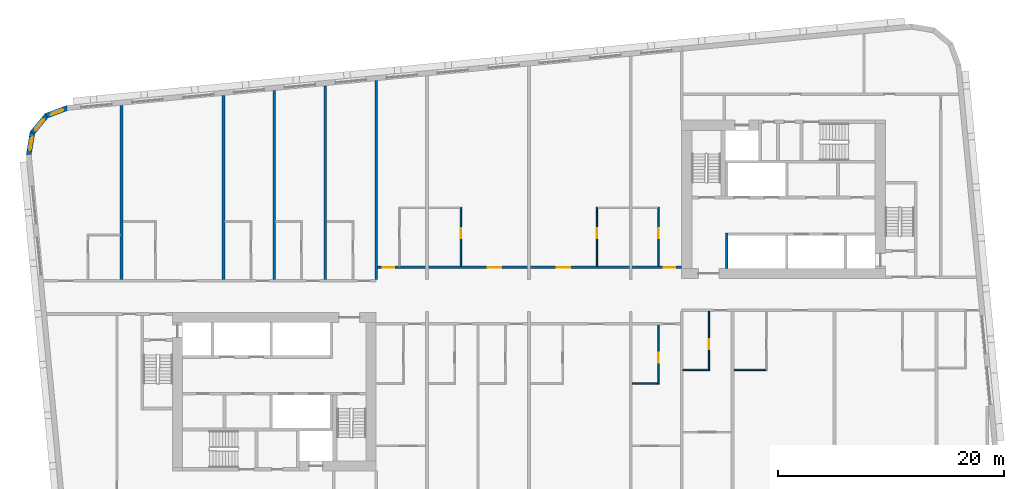
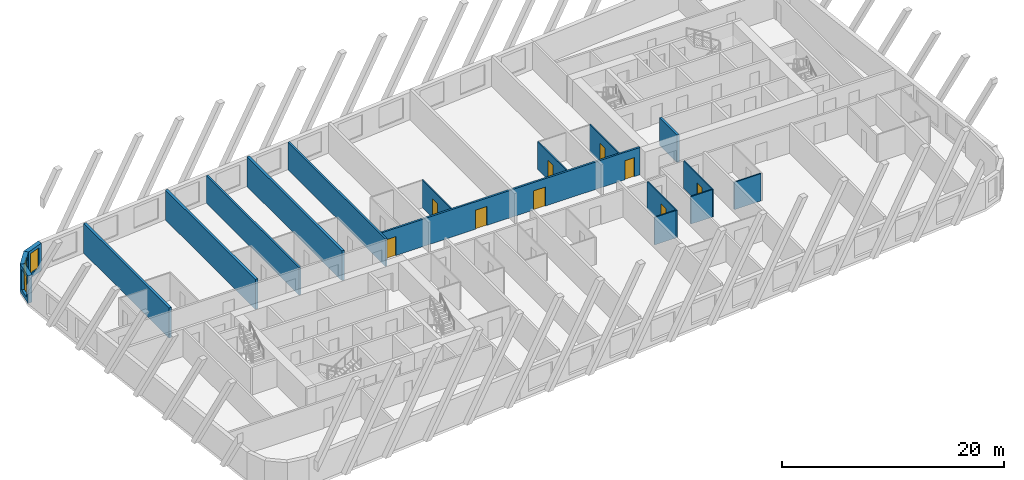
# One storey, part 5 of 13: 18 walls, 9 doors, 3 windows, 12 openings.
"""IFC4 building model written with IfcOpenShell, lengths in metres."""

from ifc_helpers import new_model, si_unit, direction, frame, frame_2d, origin, place, context, subcontext, project, spatial, polyline, rectangle, outline, extrude, material, layer, layer_set, type_object, element, fill, save


model = new_model("IFC4")

# Units and contexts
model_context = context("Model", 3, precision=1e-05, world=origin(), true_north=direction((0.0, 1.0)))
body_context = subcontext(model_context, "Body", "Model", "MODEL_VIEW")
ifc_project = project(units=[si_unit("LENGTHUNIT", "METRE"), si_unit("AREAUNIT", "SQUARE_METRE"), si_unit("VOLUMEUNIT", "CUBIC_METRE"), si_unit("PLANEANGLEUNIT", "RADIAN"), si_unit("MASSUNIT", "GRAM", prefix="KILO")], contexts=[model_context])

# Site, building, storey
site_placement = place(None, origin())
site = spatial("IfcSite", under=ifc_project, at=site_placement, CompositionType="ELEMENT")
building_placement = place(site_placement, origin())
building = spatial("IfcBuilding", under=site, at=building_placement, Name="Kajstack Hotel Tower", CompositionType="ELEMENT")
storey_placement = place(building_placement, frame((0.0, 0.0, 176.800048828125)))
storey = spatial("IfcBuildingStorey", under=building, at=storey_placement, Name="L41", CompositionType="ELEMENT", Elevation=176.800048828125)

# Wall, openings, doors
ifc_material_1 = material(Name="Gypsum board on steel studs, mineral wool", Category="steel")
ifc_layer_1 = layer(ifc_material_1, 0.199951171875)
ifc_layer_set_1 = layer_set([ifc_layer_1], Name="Corridor wall 200")
wall_type_1 = type_object("IfcWallType", Name="Corridor wall 200", PredefinedType="PARTITIONING", material=ifc_layer_set_1)
wall_1_placement = place(storey_placement, frame((-13.5, 2.5, 0.0), z_axis=(0.0, 0.0, 1.0), x_axis=(1.0, 0.0, 0.0)))
wall_1 = element("IfcWall", 1, at=wall_1_placement, inside=storey, type_object=wall_type_1, Name="G-wall-L41-004", PredefinedType="PARTITIONING", context=body_context, shape_type="SweptSolid", body=[
    extrude(rectangle(XDim=27.0, YDim=0.199951171875, at=frame_2d((13.5, 0.0))), origin(), (0.0, 0.0, 1.0), 3.02001953125),
])
opening_1_placement = place(wall_1_placement, frame((0.574951171875, 0.0, 0.0)))
opening_1 = element("IfcOpeningElement", 2, at=opening_1_placement, cuts=wall_1, Name="Opening 41011", PredefinedType="OPENING", context=body_context, shape_type="SweptSolid", body=[
    extrude(rectangle(XDim=1.0, YDim=2.10009765625, at=frame_2d((0.5, 1.050048828125))), frame((0.0, 0.10986328125, 0.0), z_axis=(0.0, -1.0, 0.0), x_axis=(1.0, 0.0, 0.0)), (0.0, 0.0, 1.0), 0.219970703125),
])
opening_2_placement = place(wall_1_placement, frame((9.863037109375, 0.0, 0.0)))
opening_2 = element("IfcOpeningElement", 3, at=opening_2_placement, cuts=wall_1, Name="Opening 41013", PredefinedType="OPENING", context=body_context, shape_type="SweptSolid", body=[
    extrude(rectangle(XDim=1.199951171875, YDim=2.10009765625, at=frame_2d((0.60009765625, 1.050048828125))), frame((0.0, 0.10986328125, 0.0), z_axis=(0.0, -1.0, 0.0), x_axis=(1.0, 0.0, 0.0)), (0.0, 0.0, 1.0), 0.219970703125),
])
opening_3_placement = place(wall_1_placement, frame((15.93798828125, 0.0, 0.0)))
opening_3 = element("IfcOpeningElement", 4, at=opening_3_placement, cuts=wall_1, Name="Opening 41015", PredefinedType="OPENING", context=body_context, shape_type="SweptSolid", body=[
    extrude(rectangle(XDim=1.199951171875, YDim=2.10009765625, at=frame_2d((0.60009765625, 1.050048828125))), frame((0.0, 0.10986328125, 0.0), z_axis=(0.0, -1.0, 0.0), x_axis=(1.0, 0.0, 0.0)), (0.0, 0.0, 1.0), 0.219970703125),
])
opening_4_placement = place(wall_1_placement, frame((25.425048828125, 0.0, 0.0)))
opening_4 = element("IfcOpeningElement", 5, at=opening_4_placement, cuts=wall_1, Name="Opening 41017", PredefinedType="OPENING", context=body_context, shape_type="SweptSolid", body=[
    extrude(rectangle(XDim=1.0, YDim=2.10009765625, at=frame_2d((0.5, 1.050048828125))), frame((0.0, 0.10986328125, 0.0), z_axis=(0.0, -1.0, 0.0), x_axis=(1.0, 0.0, 0.0)), (0.0, 0.0, 1.0), 0.219970703125),
])
ifc_material_2 = material(Name="Oak veneer on timber core, fire-rated leaf", Category="wood")
door_type_1 = type_object("IfcDoorType", Name="Flat entrance door 1000", OperationType="SINGLE_SWING_LEFT", PredefinedType="DOOR", material=ifc_material_2)
door_1_placement = place(opening_1_placement, origin())
door_1 = element("IfcDoor", 6, at=door_1_placement, inside=storey, type_object=door_type_1, Name="G-door-L41-11", OperationType="SINGLE_SWING_RIGHT", OverallHeight=2.10009765625, OverallWidth=1.0, PredefinedType="DOOR", context=body_context, shape_type="SweptSolid", body=[
    extrude(rectangle(XDim=1.0, YDim=2.10009765625, at=frame_2d((0.5, 1.050048828125))), frame((0.0, 0.02490234375, 0.0), z_axis=(0.0, -1.0, 0.0), x_axis=(1.0, 0.0, 0.0)), (0.0, 0.0, 1.0), 0.050048828125),
])
fill(opening_1, door_1)
door_2_placement = place(opening_4_placement, origin())
door_2 = element("IfcDoor", 7, at=door_2_placement, inside=storey, type_object=door_type_1, Name="G-door-L41-17", OperationType="SINGLE_SWING_RIGHT", OverallHeight=2.10009765625, OverallWidth=1.0, PredefinedType="DOOR", context=body_context, shape_type="SweptSolid", body=[
    extrude(rectangle(XDim=1.0, YDim=2.10009765625, at=frame_2d((0.5, 1.050048828125))), frame((0.0, 0.02490234375, 0.0), z_axis=(0.0, -1.0, 0.0), x_axis=(1.0, 0.0, 0.0)), (0.0, 0.0, 1.0), 0.050048828125),
])
fill(opening_4, door_2)
door_type_2 = type_object("IfcDoorType", Name="Flat entrance door 1200", OperationType="SINGLE_SWING_LEFT", PredefinedType="DOOR", material=ifc_material_2)
door_3_placement = place(opening_2_placement, origin())
door_3 = element("IfcDoor", 8, at=door_3_placement, inside=storey, type_object=door_type_2, Name="G-door-L41-13", OperationType="SINGLE_SWING_LEFT", OverallHeight=2.10009765625, OverallWidth=1.199951171875, PredefinedType="DOOR", context=body_context, shape_type="SweptSolid", body=[
    extrude(rectangle(XDim=1.199951171875, YDim=2.10009765625, at=frame_2d((0.60009765625, 1.050048828125))), frame((0.0, 0.02490234375, 0.0), z_axis=(0.0, -1.0, 0.0), x_axis=(1.0, 0.0, 0.0)), (0.0, 0.0, 1.0), 0.050048828125),
])
fill(opening_2, door_3)
door_4_placement = place(opening_3_placement, origin())
door_4 = element("IfcDoor", 9, at=door_4_placement, inside=storey, type_object=door_type_2, Name="G-door-L41-15", OperationType="SINGLE_SWING_RIGHT", OverallHeight=2.10009765625, OverallWidth=1.199951171875, PredefinedType="DOOR", context=body_context, shape_type="SweptSolid", body=[
    extrude(rectangle(XDim=1.199951171875, YDim=2.10009765625, at=frame_2d((0.60009765625, 1.050048828125))), frame((0.0, 0.02490234375, 0.0), z_axis=(0.0, -1.0, 0.0), x_axis=(1.0, 0.0, 0.0)), (0.0, 0.0, 1.0), 0.050048828125),
])
fill(opening_3, door_4)

# Walls
ifc_material_3 = material(Name="Twin-frame gypsum board on steel studs, mineral wool", Category="steel")
ifc_layer_2 = layer(ifc_material_3, 0.199951171875)
ifc_layer_set_2 = layer_set([ifc_layer_2], Name="Demising wall 200")
wall_type_2 = type_object("IfcWallType", Name="Demising wall 200", PredefinedType="PARTITIONING", material=ifc_layer_set_2)
wall_2_placement = place(storey_placement, frame((-22.5, 1.39990234375, 0.0), z_axis=(0.0, 0.0, 1.0), x_axis=(0.0, 1.0, 0.0)))
element("IfcWall", 10, at=wall_2_placement, inside=storey, type_object=wall_type_2, Name="G-wall-L41-009", PredefinedType="PARTITIONING", context=body_context, shape_type="SweptSolid", body=[
    extrude(rectangle(XDim=16.72314453125, YDim=0.199951171875, at=frame_2d((8.361572265625, 0.0))), origin(), (0.0, 0.0, 1.0), 3.02001953125),
])
wall_3_placement = place(storey_placement, frame((-13.5, 1.39990234375, 0.0), z_axis=(0.0, 0.0, 1.0), x_axis=(0.0, 1.0, 0.0)))
element("IfcWall", 11, at=wall_3_placement, inside=storey, type_object=wall_type_2, Name="G-wall-L41-014", PredefinedType="PARTITIONING", context=body_context, shape_type="SweptSolid", body=[
    extrude(rectangle(XDim=17.590087890625, YDim=0.199951171875, at=frame_2d((8.794921875, 0.0))), origin(), (0.0, 0.0, 1.0), 3.02001953125),
])

# Wall, opening, window
ifc_material_4 = material(Name="Terracotta-faced brick masonry", Category="masonry")
ifc_layer_3 = layer(ifc_material_4, 0.449951171875)
ifc_layer_set_3 = layer_set([ifc_layer_3], Name="EW-TERRA")
wall_type_3 = type_object("IfcWallType", Name="EW-TERRA", PredefinedType="SOLIDWALL", material=ifc_layer_set_3)
wall_4_placement = place(storey_placement, frame((-40.76123046875, 16.598388671875, 0.0), z_axis=(0.0, 0.0, 1.0), x_axis=(-0.936677599948, -0.350192909346, 0.0)))
wall_4 = element("IfcWall", 12, at=wall_4_placement, inside=storey, type_object=wall_type_3, Name="E-wall-L41-13-00", PredefinedType="SOLIDWALL", context=body_context, shape_type="SweptSolid", body=[
    extrude(outline(polyline([(0.0, -0.22509765625), (2.070556640625, -0.224853515625), (1.949951171875, 0.22509765625), (0.12060546875, 0.22509765625), (0.0, -0.22509765625)])), origin(), (0.0, 0.0, 1.0), 3.02001953125),
])
opening_5_placement = place(wall_4_placement, frame((0.435302734375, 0.0, 0.449951171875)))
opening_5 = element("IfcOpeningElement", 13, at=opening_5_placement, cuts=wall_4, Name="Opening W3", PredefinedType="OPENING", context=body_context, shape_type="SweptSolid", body=[
    extrude(rectangle(XDim=1.199951171875, YDim=2.25, at=frame_2d((0.60009765625, 1.125))), frame((0.0, 0.23486328125, 0.0), z_axis=(0.0, -1.0, 0.0), x_axis=(1.0, 0.0, 0.0)), (0.0, 0.0, 1.0), 0.469970703125),
])
ifc_material_5 = material(Name="Timber-aluminium window, triple glazed", Category="wood")
window_type = type_object("IfcWindowType", Name="WG3", PartitioningType="SINGLE_PANEL", PredefinedType="WINDOW", material=ifc_material_5)
window_1_placement = place(opening_5_placement, origin())
window_1 = element("IfcWindow", 14, at=window_1_placement, inside=storey, type_object=window_type, Name="Window W3 L41-13", OverallHeight=2.25, OverallWidth=1.199951171875, PartitioningType="SINGLE_PANEL", PredefinedType="WINDOW", context=body_context, shape_type="SweptSolid", body=[
    extrude(rectangle(XDim=1.199951171875, YDim=2.25, at=frame_2d((0.60009765625, 1.125))), frame((0.0, 0.090087890625, 0.0), z_axis=(0.0, -1.0, 0.0), x_axis=(1.0, 0.0, 0.0)), (0.0, 0.0, 1.0), 0.06005859375),
])
fill(opening_5, window_1)

wall_5_placement = place(storey_placement, frame((-42.60595703125, 15.94091796875, 0.0), z_axis=(0.0, 0.0, 1.0), x_axis=(-0.636116318187, -0.771593176315, 0.0)))
wall_5 = element("IfcWall", 15, at=wall_5_placement, inside=storey, type_object=wall_type_3, Name="E-wall-L41-14-00", PredefinedType="SOLIDWALL", context=body_context, shape_type="SweptSolid", body=[
    extrude(outline(polyline([(0.0, -0.224853515625), (2.070556640625, -0.224853515625), (1.949951171875, 0.22509765625), (0.12060546875, 0.22509765625), (0.0, -0.224853515625)])), origin(), (0.0, 0.0, 1.0), 3.02001953125),
])
opening_6_placement = place(wall_5_placement, frame((0.435302734375, 0.0, 0.449951171875)))
opening_6 = element("IfcOpeningElement", 16, at=opening_6_placement, cuts=wall_5, Name="Opening W3", PredefinedType="OPENING", context=body_context, shape_type="SweptSolid", body=[
    extrude(rectangle(XDim=1.199951171875, YDim=2.25, at=frame_2d((0.60009765625, 1.125))), frame((0.0, 0.23486328125, 0.0), z_axis=(0.0, -1.0, 0.0), x_axis=(1.0, 0.0, 0.0)), (0.0, 0.0, 1.0), 0.469970703125),
])
window_2_placement = place(opening_6_placement, origin())
window_2 = element("IfcWindow", 17, at=window_2_placement, inside=storey, type_object=window_type, Name="Window W3 L41-14", OverallHeight=2.25, OverallWidth=1.199951171875, PartitioningType="SINGLE_PANEL", PredefinedType="WINDOW", context=body_context, shape_type="SweptSolid", body=[
    extrude(rectangle(XDim=1.199951171875, YDim=2.25, at=frame_2d((0.60009765625, 1.125))), frame((0.0, 0.090087890625, 0.0), z_axis=(0.0, -1.0, 0.0), x_axis=(1.0, 0.0, 0.0)), (0.0, 0.0, 1.0), 0.06005859375),
])
fill(opening_6, window_2)

wall_6_placement = place(storey_placement, frame((-43.874755859375, 14.44921875, 0.0), z_axis=(0.0, 0.0, 1.0), x_axis=(-0.164953448126, -0.986301353518, 0.0)))
wall_6 = element("IfcWall", 18, at=wall_6_placement, inside=storey, type_object=wall_type_3, Name="E-wall-L41-15-00", PredefinedType="SOLIDWALL", context=body_context, shape_type="SweptSolid", body=[
    extrude(outline(polyline([(0.0, -0.224853515625), (2.070556640625, -0.22509765625), (1.9501953125, 0.224853515625), (0.12060546875, 0.22509765625), (0.0, -0.224853515625)])), origin(), (0.0, 0.0, 1.0), 3.02001953125),
])
opening_7_placement = place(wall_6_placement, frame((0.435302734375, 0.0, 0.449951171875)))
opening_7 = element("IfcOpeningElement", 19, at=opening_7_placement, cuts=wall_6, Name="Opening W3", PredefinedType="OPENING", context=body_context, shape_type="SweptSolid", body=[
    extrude(rectangle(XDim=1.199951171875, YDim=2.25, at=frame_2d((0.60009765625, 1.125))), frame((0.0, 0.23486328125, 0.0), z_axis=(0.0, -1.0, 0.0), x_axis=(1.0, 0.0, 0.0)), (0.0, 0.0, 1.0), 0.469970703125),
])
window_3_placement = place(opening_7_placement, origin())
window_3 = element("IfcWindow", 20, at=window_3_placement, inside=storey, type_object=window_type, Name="Window W3 L41-15", OverallHeight=2.25, OverallWidth=1.199951171875, PartitioningType="SINGLE_PANEL", PredefinedType="WINDOW", context=body_context, shape_type="SweptSolid", body=[
    extrude(rectangle(XDim=1.199951171875, YDim=2.25, at=frame_2d((0.60009765625, 1.125))), frame((0.0, 0.090087890625, 0.0), z_axis=(0.0, -1.0, 0.0), x_axis=(1.0, 0.0, 0.0)), (0.0, 0.0, 1.0), 0.06005859375),
])
fill(opening_7, window_3)

# Wall, opening, door
ifc_material_6 = material(Name="Gypsum board and tiled backer on steel studs", Category="steel")
ifc_layer_4 = layer(ifc_material_6, 0.125)
ifc_layer_set_4 = layer_set([ifc_layer_4], Name="En-suite wall 125")
wall_type_4 = type_object("IfcWallType", Name="En-suite wall 125", PredefinedType="PARTITIONING", material=ifc_layer_set_4)
wall_7_placement = place(storey_placement, frame((-6.012939453125, 2.60009765625, 0.0), z_axis=(0.0, 0.0, 1.0), x_axis=(0.0, 1.0, 0.0)))
wall_7 = element("IfcWall", 21, at=wall_7_placement, inside=storey, type_object=wall_type_4, Name="G-wall-L41-019", PredefinedType="PARTITIONING", context=body_context, shape_type="SweptSolid", body=[
    extrude(rectangle(XDim=5.224853515625, YDim=0.125, at=frame_2d((2.6123046875, 0.0))), origin(), (0.0, 0.0, 1.0), 3.02001953125),
])
opening_8_placement = place(wall_7_placement, frame((2.449951171875, 0.0, 0.0)))
opening_8 = element("IfcOpeningElement", 22, at=opening_8_placement, cuts=wall_7, Name="Opening 41014", PredefinedType="OPENING", context=body_context, shape_type="SweptSolid", body=[
    extrude(rectangle(XDim=0.89990234375, YDim=2.10009765625, at=frame_2d((0.449951171875, 1.050048828125))), frame((0.0, 0.072509765625, 0.0), z_axis=(0.0, -1.0, 0.0), x_axis=(1.0, 0.0, 0.0)), (0.0, 0.0, 1.0), 0.14501953125),
])
ifc_material_7 = material(Name="Painted timber door leaf", Category="wood")
door_type_3 = type_object("IfcDoorType", Name="Room door 900", OperationType="SINGLE_SWING_LEFT", PredefinedType="DOOR", material=ifc_material_7)
door_5_placement = place(opening_8_placement, origin())
door_5 = element("IfcDoor", 23, at=door_5_placement, inside=storey, type_object=door_type_3, Name="G-door-L41-14", OperationType="SINGLE_SWING_LEFT", OverallHeight=2.10009765625, OverallWidth=0.89990234375, PredefinedType="DOOR", context=body_context, shape_type="SweptSolid", body=[
    extrude(rectangle(XDim=0.89990234375, YDim=2.10009765625, at=frame_2d((0.449951171875, 1.050048828125))), frame((0.0, 0.02490234375, 0.0), z_axis=(0.0, -1.0, 0.0), x_axis=(1.0, 0.0, 0.0)), (0.0, 0.0, 1.0), 0.050048828125),
])
fill(opening_8, door_5)

wall_8_placement = place(storey_placement, frame((6.012939453125, 2.60009765625, 0.0), z_axis=(0.0, 0.0, 1.0), x_axis=(0.0, 1.0, 0.0)))
wall_8 = element("IfcWall", 24, at=wall_8_placement, inside=storey, type_object=wall_type_4, Name="G-wall-L41-021", PredefinedType="PARTITIONING", context=body_context, shape_type="SweptSolid", body=[
    extrude(rectangle(XDim=5.224853515625, YDim=0.125, at=frame_2d((2.6123046875, 0.0))), origin(), (0.0, 0.0, 1.0), 3.02001953125),
])
opening_9_placement = place(wall_8_placement, frame((2.449951171875, 0.0, 0.0)))
opening_9 = element("IfcOpeningElement", 25, at=opening_9_placement, cuts=wall_8, Name="Opening 41016", PredefinedType="OPENING", context=body_context, shape_type="SweptSolid", body=[
    extrude(rectangle(XDim=0.89990234375, YDim=2.10009765625, at=frame_2d((0.449951171875, 1.050048828125))), frame((0.0, 0.072509765625, 0.0), z_axis=(0.0, -1.0, 0.0), x_axis=(1.0, 0.0, 0.0)), (0.0, 0.0, 1.0), 0.14501953125),
])
door_6_placement = place(opening_9_placement, origin())
door_6 = element("IfcDoor", 26, at=door_6_placement, inside=storey, type_object=door_type_3, Name="G-door-L41-16", OperationType="SINGLE_SWING_RIGHT", OverallHeight=2.10009765625, OverallWidth=0.89990234375, PredefinedType="DOOR", context=body_context, shape_type="SweptSolid", body=[
    extrude(rectangle(XDim=0.89990234375, YDim=2.10009765625, at=frame_2d((0.449951171875, 1.050048828125))), frame((0.0, 0.02490234375, 0.0), z_axis=(0.0, -1.0, 0.0), x_axis=(1.0, 0.0, 0.0)), (0.0, 0.0, 1.0), 0.050048828125),
])
fill(opening_9, door_6)

wall_9_placement = place(storey_placement, frame((11.43798828125, 2.60009765625, 0.0), z_axis=(0.0, 0.0, 1.0), x_axis=(0.0, 1.0, 0.0)))
wall_9 = element("IfcWall", 27, at=wall_9_placement, inside=storey, type_object=wall_type_4, Name="G-wall-L41-023", PredefinedType="PARTITIONING", context=body_context, shape_type="SweptSolid", body=[
    extrude(rectangle(XDim=5.224853515625, YDim=0.125, at=frame_2d((2.6123046875, 0.0))), origin(), (0.0, 0.0, 1.0), 3.02001953125),
])
opening_10_placement = place(wall_9_placement, frame((2.449951171875, 0.0, 0.0)))
opening_10 = element("IfcOpeningElement", 28, at=opening_10_placement, cuts=wall_9, Name="Opening 41018", PredefinedType="OPENING", context=body_context, shape_type="SweptSolid", body=[
    extrude(rectangle(XDim=0.89990234375, YDim=2.10009765625, at=frame_2d((0.449951171875, 1.050048828125))), frame((0.0, 0.072509765625, 0.0), z_axis=(0.0, -1.0, 0.0), x_axis=(1.0, 0.0, 0.0)), (0.0, 0.0, 1.0), 0.14501953125),
])
door_7_placement = place(opening_10_placement, origin())
door_7 = element("IfcDoor", 29, at=door_7_placement, inside=storey, type_object=door_type_3, Name="G-door-L41-18", OperationType="SINGLE_SWING_LEFT", OverallHeight=2.10009765625, OverallWidth=0.89990234375, PredefinedType="DOOR", context=body_context, shape_type="SweptSolid", body=[
    extrude(rectangle(XDim=0.89990234375, YDim=2.10009765625, at=frame_2d((0.449951171875, 1.050048828125))), frame((0.0, 0.02490234375, 0.0), z_axis=(0.0, -1.0, 0.0), x_axis=(1.0, 0.0, 0.0)), (0.0, 0.0, 1.0), 0.050048828125),
])
fill(opening_10, door_7)

wall_10_placement = place(storey_placement, frame((11.43798828125, -7.824951171875, 0.0), z_axis=(0.0, 0.0, 1.0), x_axis=(0.0, 1.0, 0.0)))
wall_10 = element("IfcWall", 30, at=wall_10_placement, inside=storey, type_object=wall_type_4, Name="G-wall-L41-038", PredefinedType="PARTITIONING", context=body_context, shape_type="SweptSolid", body=[
    extrude(rectangle(XDim=5.224853515625, YDim=0.125, at=frame_2d((2.6123046875, 0.0))), origin(), (0.0, 0.0, 1.0), 3.02001953125),
])
opening_11_placement = place(wall_10_placement, frame((1.875, 0.0, 0.0)))
opening_11 = element("IfcOpeningElement", 31, at=opening_11_placement, cuts=wall_10, Name="Opening 41029", PredefinedType="OPENING", context=body_context, shape_type="SweptSolid", body=[
    extrude(rectangle(XDim=0.89990234375, YDim=2.10009765625, at=frame_2d((0.449951171875, 1.050048828125))), frame((0.0, 0.072509765625, 0.0), z_axis=(0.0, -1.0, 0.0), x_axis=(1.0, 0.0, 0.0)), (0.0, 0.0, 1.0), 0.14501953125),
])
door_8_placement = place(opening_11_placement, origin())
door_8 = element("IfcDoor", 32, at=door_8_placement, inside=storey, type_object=door_type_3, Name="G-door-L41-29", OperationType="SINGLE_SWING_LEFT", OverallHeight=2.10009765625, OverallWidth=0.89990234375, PredefinedType="DOOR", context=body_context, shape_type="SweptSolid", body=[
    extrude(rectangle(XDim=0.89990234375, YDim=2.10009765625, at=frame_2d((0.449951171875, 1.050048828125))), frame((0.0, 0.02490234375, 0.0), z_axis=(0.0, -1.0, 0.0), x_axis=(1.0, 0.0, 0.0)), (0.0, 0.0, 1.0), 0.050048828125),
])
fill(opening_11, door_8)

# Wall
wall_11_placement = place(storey_placement, frame((9.125, -7.761962890625, 0.0), z_axis=(0.0, 0.0, 1.0), x_axis=(1.0, 0.0, 0.0)))
element("IfcWall", 33, at=wall_11_placement, inside=storey, type_object=wall_type_4, Name="G-wall-L41-039", PredefinedType="PARTITIONING", context=body_context, shape_type="SweptSolid", body=[
    extrude(rectangle(XDim=2.25, YDim=0.125, at=frame_2d((1.125, 0.0))), origin(), (0.0, 0.0, 1.0), 3.02001953125),
])

# Wall, opening, door
wall_12_placement = place(storey_placement, frame((15.912109375, -6.625, 0.0), z_axis=(0.0, 0.0, 1.0), x_axis=(0.0, 1.0, 0.0)))
wall_12 = element("IfcWall", 34, at=wall_12_placement, inside=storey, type_object=wall_type_4, Name="G-wall-L41-041", PredefinedType="PARTITIONING", context=body_context, shape_type="SweptSolid", body=[
    extrude(rectangle(XDim=5.22509765625, YDim=0.125, at=frame_2d((2.612548828125, 0.0))), origin(), (0.0, 0.0, 1.0), 3.02001953125),
])
opening_12_placement = place(wall_12_placement, frame((1.875, 0.0, 0.0)))
opening_12 = element("IfcOpeningElement", 35, at=opening_12_placement, cuts=wall_12, Name="Opening 41032", PredefinedType="OPENING", context=body_context, shape_type="SweptSolid", body=[
    extrude(rectangle(XDim=0.89990234375, YDim=2.10009765625, at=frame_2d((0.449951171875, 1.050048828125))), frame((0.0, 0.072509765625, 0.0), z_axis=(0.0, -1.0, 0.0), x_axis=(1.0, 0.0, 0.0)), (0.0, 0.0, 1.0), 0.14501953125),
])
door_9_placement = place(opening_12_placement, origin())
door_9 = element("IfcDoor", 36, at=door_9_placement, inside=storey, type_object=door_type_3, Name="G-door-L41-32", OperationType="SINGLE_SWING_RIGHT", OverallHeight=2.10009765625, OverallWidth=0.89990234375, PredefinedType="DOOR", context=body_context, shape_type="SweptSolid", body=[
    extrude(rectangle(XDim=0.89990234375, YDim=2.10009765625, at=frame_2d((0.449951171875, 1.050048828125))), frame((0.0, 0.02490234375, 0.0), z_axis=(0.0, -1.0, 0.0), x_axis=(1.0, 0.0, 0.0)), (0.0, 0.0, 1.0), 0.050048828125),
])
fill(opening_12, door_9)

# Walls
wall_13_placement = place(storey_placement, frame((13.60009765625, -6.56201171875, 0.0), z_axis=(0.0, 0.0, 1.0), x_axis=(1.0, 0.0, 0.0)))
element("IfcWall", 37, at=wall_13_placement, inside=storey, type_object=wall_type_4, Name="G-wall-L41-042", PredefinedType="PARTITIONING", context=body_context, shape_type="SweptSolid", body=[
    extrude(rectangle(XDim=2.25, YDim=0.125, at=frame_2d((1.125, 0.0))), origin(), (0.0, 0.0, 1.0), 3.02001953125),
])
wall_14_placement = place(storey_placement, frame((18.125, -6.56201171875, 0.0), z_axis=(0.0, 0.0, 1.0), x_axis=(1.0, 0.0, 0.0)))
element("IfcWall", 38, at=wall_14_placement, inside=storey, type_object=wall_type_4, Name="G-wall-L41-045", PredefinedType="PARTITIONING", context=body_context, shape_type="SweptSolid", body=[
    extrude(rectangle(XDim=2.800048828125, YDim=0.125, at=frame_2d((1.39990234375, 0.0))), origin(), (0.0, 0.0, 1.0), 3.02001953125),
])
ifc_material_8 = material(Name="Concrete C50/60", Category="concrete")
ifc_layer_5 = layer(ifc_material_8, 0.25)
ifc_layer_set_5 = layer_set([ifc_layer_5], Name="RC cross wall 250 C50/60")
wall_type_5 = type_object("IfcWallType", Name="RC cross wall 250 C50/60", PredefinedType="SHEAR", material=ifc_layer_set_5)
wall_15_placement = place(storey_placement, frame((-36.0, 1.39990234375, 0.0), z_axis=(0.0, 0.0, 1.0), x_axis=(0.0, 1.0, 0.0)))
element("IfcWall", 39, at=wall_15_placement, inside=storey, type_object=wall_type_5, Name="S-wall-L41-01", PredefinedType="SHEAR", context=body_context, shape_type="SweptSolid", body=[
    extrude(rectangle(XDim=15.401123046875, YDim=0.25, at=frame_2d((7.70068359375, 0.0))), origin(), (0.0, 0.0, 1.0), 3.300048828125),
])
wall_16_placement = place(storey_placement, frame((-27.0, 1.39990234375, 0.0), z_axis=(0.0, 0.0, 1.0), x_axis=(0.0, 1.0, 0.0)))
element("IfcWall", 40, at=wall_16_placement, inside=storey, type_object=wall_type_5, Name="S-wall-L41-02", PredefinedType="SHEAR", context=body_context, shape_type="SweptSolid", body=[
    extrude(rectangle(XDim=16.267578125, YDim=0.25, at=frame_2d((8.1337890625, 0.0))), origin(), (0.0, 0.0, 1.0), 3.300048828125),
])
wall_17_placement = place(storey_placement, frame((-18.0, 1.39990234375, 0.0), z_axis=(0.0, 0.0, 1.0), x_axis=(0.0, 1.0, 0.0)))
element("IfcWall", 41, at=wall_17_placement, inside=storey, type_object=wall_type_5, Name="S-wall-L41-03", PredefinedType="SHEAR", context=body_context, shape_type="SweptSolid", body=[
    extrude(rectangle(XDim=17.13427734375, YDim=0.25, at=frame_2d((8.567138671875, 0.0))), origin(), (0.0, 0.0, 1.0), 3.300048828125),
])
ifc_layer_6 = layer(ifc_material_8, 0.25)
ifc_layer_set_6 = layer_set([ifc_layer_6], Name="Shaft wall 250")
wall_type_6 = type_object("IfcWallType", Name="Shaft wall 250", PredefinedType="SHEAR", material=ifc_layer_set_6)
wall_18_placement = place(storey_placement, frame((17.47509765625, 2.39990234375, 0.0), z_axis=(0.0, 0.0, 1.0), x_axis=(0.0, 1.0, 0.0)))
element("IfcWall", 42, at=wall_18_placement, inside=storey, type_object=wall_type_6, Name="Core wall E AE", PredefinedType="SHEAR", context=body_context, shape_type="SweptSolid", body=[
    extrude(rectangle(XDim=3.150146484375, YDim=0.25, at=frame_2d((1.5751953125, 0.0))), origin(), (0.0, 0.0, 1.0), 3.02001953125),
])

save(model, "model.ifc")
